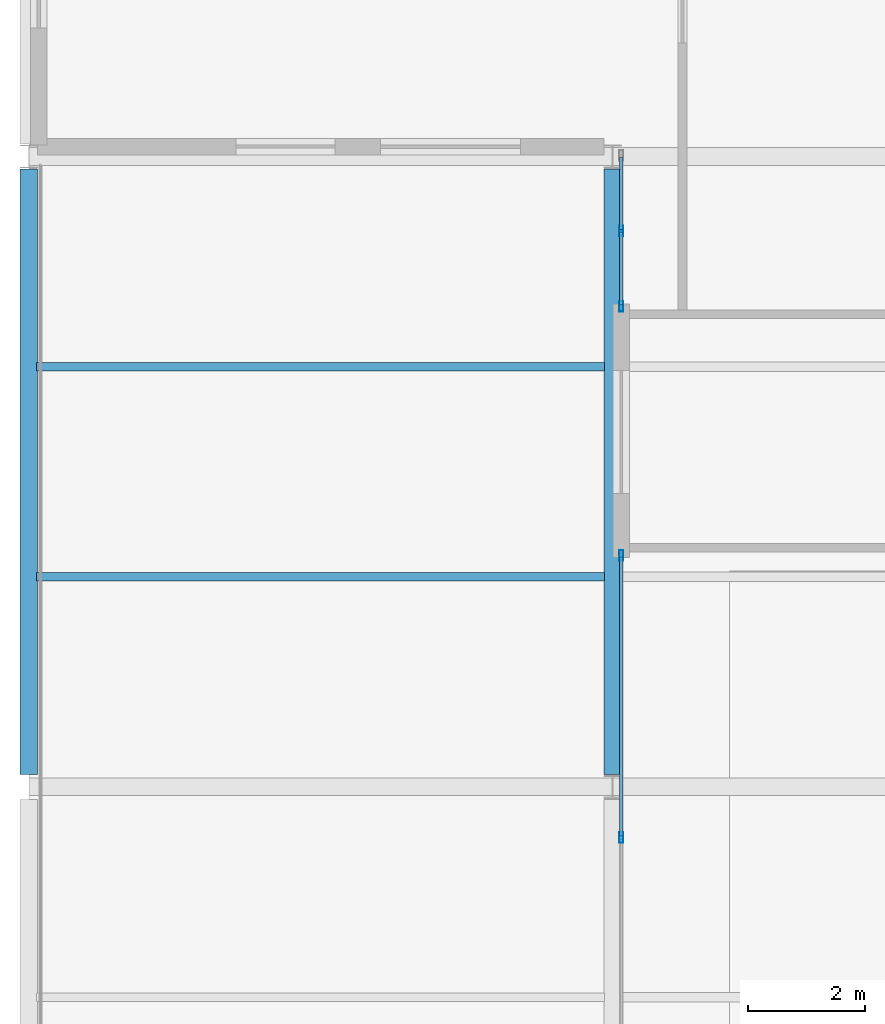
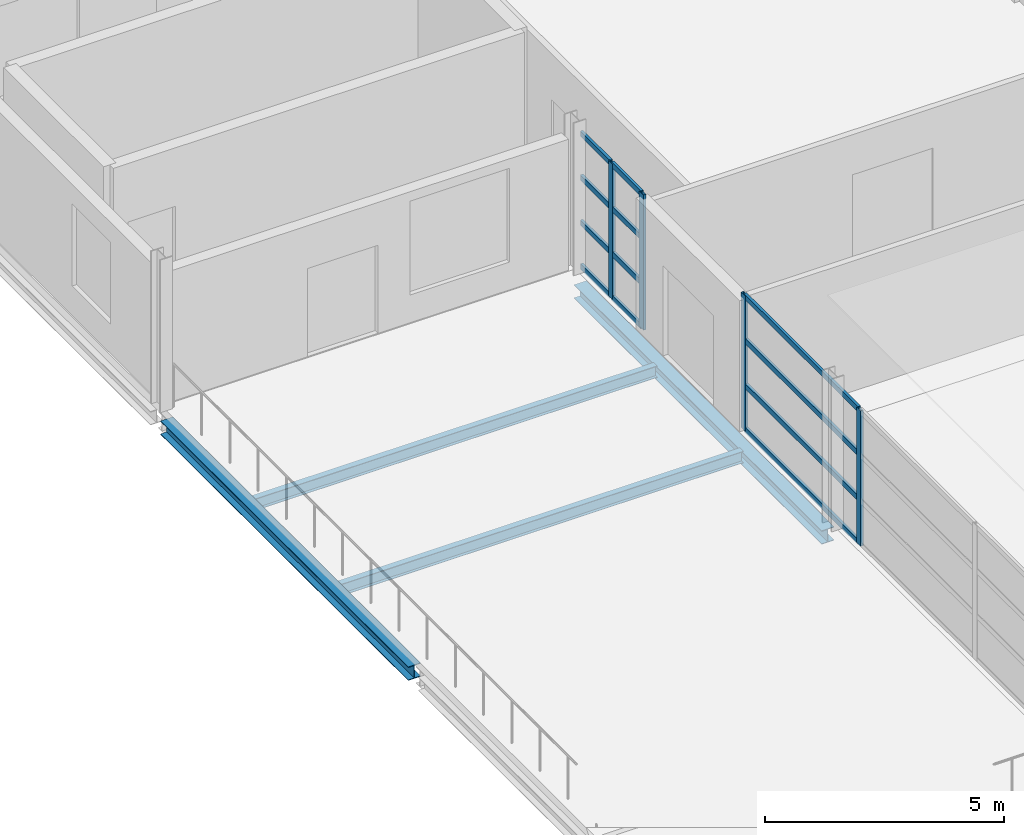
# One storey, part 8 of 33: 16 members, 4 beams, 2 elements without a shape of their own.
"""IFC4 building model written with IfcOpenShell, lengths in metres."""

import ifcopenshell
import ifcopenshell.guid

model = None  # the IFC model being written
_history = None  # IfcOwnerHistory: only IFC2X3 demands one
_inside = {}  # id of a spatial element -> (the spatial element, [elements in it])
_under = {}  # id of a project, library or spatial element -> (it, [spatial elements below it])
_declared = {}  # id of a project -> (the project, [libraries it declares])
_typed = {}  # id of a type object -> (the type object, [elements of that type])
_made_of = {}  # id of a material, layer set ... -> (it, [elements and type objects made of it])


def new_model(schema):
    """Start an empty IFC model of exactly this schema.

    Asked for "IFC4X3", IfcOpenShell would pick the latest addendum, in which some entities
    have other attributes; the version numbers below select the first issue.
    IFC2X3 requires an IfcOwnerHistory on every rooted entity: one is made here for all.
    """
    global model, _history
    if schema == "IFC4X3":
        model = ifcopenshell.file(schema_version=(4, 3, 0, 0))
    else:
        model = ifcopenshell.file(schema=schema)
    _inside.clear()
    _under.clear()
    _declared.clear()
    _typed.clear()
    _made_of.clear()
    _history = None
    if model.schema == "IFC2X3":
        org = make("IfcOrganization", Name="unknown")
        user = make(
            "IfcPersonAndOrganization",
            ThePerson=make("IfcPerson", FamilyName="unknown"),
            TheOrganization=org,
        )
        app = make(
            "IfcApplication",
            ApplicationDeveloper=org,
            Version="unknown",
            ApplicationFullName="unknown",
            ApplicationIdentifier="unknown",
        )
        _history = make(
            "IfcOwnerHistory",
            OwningUser=user,
            OwningApplication=app,
            ChangeAction="ADDED",
            CreationDate=0,
        )
    return model


def make(cls, **values):
    """One entity of the class cls with the attributes given. An attribute that is None is left unset."""
    return model.create_entity(
        cls, **{name: value for name, value in values.items() if value is not None}
    )


def rooted(cls, **values):
    """An entity with a GlobalId (a new one), such as an element, a storey or a relation."""
    return make(cls, GlobalId=ifcopenshell.guid.new(), OwnerHistory=_history, **values)


def si_unit(unit_type, name, prefix=None):
    """IfcSIUnit, for example si_unit("LENGTHUNIT", "METRE", prefix="MILLI")."""
    return make("IfcSIUnit", UnitType=unit_type, Prefix=prefix, Name=name)


def assignment(units):
    """IfcUnitAssignment: the units of a project."""
    return None if units is None else make("IfcUnitAssignment", Units=units)


def point(xyz):
    """IfcCartesianPoint."""
    return None if xyz is None else make("IfcCartesianPoint", Coordinates=xyz)


def direction(xyz):
    """IfcDirection."""
    return None if xyz is None else make("IfcDirection", DirectionRatios=xyz)


def frame(location, z_axis=None, x_axis=None):
    """IfcAxis2Placement3D, a coordinate frame: its origin and axes. An axis left out is left unset."""
    return make(
        "IfcAxis2Placement3D",
        Location=point(location),
        Axis=direction(z_axis),
        RefDirection=direction(x_axis),
    )


def frame_2d(location, x_axis=None):
    """IfcAxis2Placement2D, a coordinate frame in the plane: its origin and x axis."""
    return make(
        "IfcAxis2Placement2D", Location=point(location), RefDirection=direction(x_axis)
    )


def origin():
    """The frame at (0, 0, 0) with its axes left unset."""
    return frame((0.0, 0.0, 0.0))


def origin_2d():
    """The frame at (0, 0) in the plane with its x axis left unset."""
    return frame_2d((0.0, 0.0))


def place(relative_to, where):
    """IfcLocalPlacement: puts the frame where relative to a parent placement (None: the world)."""
    return make(
        "IfcLocalPlacement", PlacementRelTo=relative_to, RelativePlacement=where
    )


def context(
    kind, dimensions, precision=None, world=None, true_north=None, identifier=None
):
    """IfcGeometricRepresentationContext, for example the 3D "Model" context."""
    return make(
        "IfcGeometricRepresentationContext",
        ContextIdentifier=identifier,
        ContextType=kind,
        CoordinateSpaceDimension=dimensions,
        Precision=precision,
        WorldCoordinateSystem=world,
        TrueNorth=true_north,
    )


def subcontext(parent, identifier, kind, view, scale=None):
    """IfcGeometricRepresentationSubContext, for example "Body" below "Model"."""
    return make(
        "IfcGeometricRepresentationSubContext",
        ContextIdentifier=identifier,
        ContextType=kind,
        ParentContext=parent,
        TargetScale=scale,
        TargetView=view,
    )


def project(units=None, contexts=None):
    """IfcProject with its units and contexts."""
    return rooted(
        "IfcProject",
        Name="project",
        RepresentationContexts=contexts,
        UnitsInContext=assignment(units),
    )


def spatial(cls, under=None, at=None, **own):
    """A site, building, storey or space (cls), placed at a placement, below another one or the project."""
    s = rooted(cls, ObjectPlacement=at, **own)
    if under is not None:
        _under.setdefault(under.id(), (under, []))[1].append(s)
    return s


def profile(cls, at=None, kind="AREA", **sizes):
    """A parametric profile (cls). Its sizes go by their IFC names, for example OverallWidth=200.0."""
    return make(cls, ProfileType=kind, Position=at, **sizes)


def hollow_rectangle(**sizes):
    """IfcRectangleHollowProfileDef."""
    return profile("IfcRectangleHollowProfileDef", **sizes)


def i_section(**sizes):
    """IfcIShapeProfileDef."""
    return profile("IfcIShapeProfileDef", **sizes)


def extrude(swept, where, along, depth):
    """IfcExtrudedAreaSolid: the profile swept, set in the frame where, extruded along a direction by depth."""
    return make(
        "IfcExtrudedAreaSolid",
        SweptArea=swept,
        Position=where,
        ExtrudedDirection=direction(along),
        Depth=depth,
    )


def shape(context_of_items, identifier, shape_type, items):
    """IfcShapeRepresentation: the items that make up one representation, for example the "Body"."""
    return make(
        "IfcShapeRepresentation",
        ContextOfItems=context_of_items,
        RepresentationIdentifier=identifier,
        RepresentationType=shape_type,
        Items=items,
    )


def material(Name=None, Category=None):
    """IfcMaterial."""
    return make("IfcMaterial", Name=Name, Category=Category)


def layer(
    of_material, thickness, ventilated=None, Name=None, Category=None, Priority=None
):
    """IfcMaterialLayer: one layer of a wall or slab, of a material (None: an air gap)."""
    return make(
        "IfcMaterialLayer",
        Material=of_material,
        LayerThickness=thickness,
        IsVentilated=ventilated,
        Name=Name,
        Category=Category,
        Priority=Priority,
    )


def layer_set(layers, Name=None):
    """IfcMaterialLayerSet."""
    return make("IfcMaterialLayerSet", MaterialLayers=layers, LayerSetName=Name)


def material_profile(
    of_material, cross_section, Name=None, Category=None, Priority=None
):
    """IfcMaterialProfile: a cross section and its material."""
    return make(
        "IfcMaterialProfile",
        Name=Name,
        Material=of_material,
        Profile=cross_section,
        Priority=Priority,
        Category=Category,
    )


def profile_set(profiles, Name=None, composite=None):
    """IfcMaterialProfileSet."""
    return make(
        "IfcMaterialProfileSet",
        Name=Name,
        MaterialProfiles=profiles,
        CompositeProfile=composite,
    )


def made_of(thing, what):
    """Note that an element or type object is made of a material, layer set ...; save() writes the relation."""
    if what is not None:
        _made_of.setdefault(what.id(), (what, []))[1].append(thing)
    return thing


def type_object(cls, material=None, **own):
    """A type object (cls), such as IfcWallType, which elements share."""
    return made_of(rooted(cls, **own), material)


def element(
    cls,
    number,
    at=None,
    inside=None,
    cuts=None,
    type_object=None,
    material=None,
    context=None,
    identifier="Body",
    shape_type=None,
    held_by="IfcProductDefinitionShape",
    body=None,
    shapes=None,
    **own,
):
    """One element of the class cls, such as IfcWall. Its Tag is "e" and its number.

    at: its placement. inside: the storey or other place that contains it. cuts: it is an
    opening in that element (IfcRelVoidsElement). A single representation is given by context,
    identifier, shape_type and body (its items); several are given by shapes. held_by: the class
    of the entity that holds the representations. save() writes the other relations.
    """
    e = rooted(cls, Tag="e%d" % number, ObjectPlacement=at, **own)
    if body is not None:
        shapes = [shape(context, identifier, shape_type, body)]
    if shapes is not None:
        e.Representation = make(held_by, Representations=shapes)
    if inside is not None:
        _inside.setdefault(inside.id(), (inside, []))[1].append(e)
    if cuts is not None:
        rooted(
            "IfcRelVoidsElement", RelatingBuildingElement=cuts, RelatedOpeningElement=e
        )
    if type_object is not None:
        _typed.setdefault(type_object.id(), (type_object, []))[1].append(e)
    return made_of(e, material)


def aggregate(whole, parts):
    """IfcRelAggregates: a whole, such as a stair, and the parts it consists of."""
    return rooted("IfcRelAggregates", RelatingObject=whole, RelatedObjects=parts)


def save(model, path):
    """Write the relations noted so far, then the file.

    IfcRelAggregates (storeys below a building ...), IfcRelContainedInSpatialStructure (elements
    in a storey), IfcRelDefinesByType, IfcRelAssociatesMaterial and IfcRelDeclares: one each for
    every whole, place, type object, material and project.
    """
    for whole, parts in _under.values():
        aggregate(whole, parts)
    for where, things in _inside.values():
        rooted(
            "IfcRelContainedInSpatialStructure",
            RelatedElements=things,
            RelatingStructure=where,
        )
    for kind, things in _typed.values():
        rooted("IfcRelDefinesByType", RelatedObjects=things, RelatingType=kind)
    for what, things in _made_of.values():
        rooted("IfcRelAssociatesMaterial", RelatedObjects=things, RelatingMaterial=what)
    for by, libraries in _declared.values():
        rooted("IfcRelDeclares", RelatingContext=by, RelatedDefinitions=libraries)
    model.write(path)


model = new_model("IFC4")

# Units and contexts
model_context = context("Model", 3, precision=1e-05, world=origin(), true_north=direction((0.0, 1.0)))
body_context = subcontext(model_context, "Body", "Model", "MODEL_VIEW")
ifc_project = project(units=[si_unit("LENGTHUNIT", "METRE"), si_unit("AREAUNIT", "SQUARE_METRE"), si_unit("VOLUMEUNIT", "CUBIC_METRE"), si_unit("PLANEANGLEUNIT", "RADIAN"), si_unit("MASSUNIT", "GRAM", prefix="KILO")], contexts=[model_context])

# Site, building, storey
site_placement = place(None, origin())
site = spatial("IfcSite", under=ifc_project, at=site_placement, CompositionType="ELEMENT")
building_placement = place(site_placement, origin())
building = spatial("IfcBuilding", under=site, at=building_placement, Name="Tamarisk Ironworks Central Station", CompositionType="ELEMENT")
storey_placement = place(building_placement, frame((0.0, 0.0, 21.300048828125)))
storey = spatial("IfcBuildingStorey", under=building, at=storey_placement, Name="L04", CompositionType="ELEMENT", Elevation=21.300048828125)

# Beams
ifc_material_1 = material(Name="Structural steel S355J2", Category="steel")
ifc_material_profile_1 = material_profile(ifc_material_1, i_section(OverallWidth=0.14990234375, OverallDepth=0.300048828125, WebThickness=0.007080078125, FlangeThickness=0.0107421875, at=origin_2d()), Name="IPE 300")
ifc_profile_set_1 = profile_set([ifc_material_profile_1], Name="Structural steel S355J2")
beam_type_1 = type_object("IfcBeamType", Name="BM-B07", PredefinedType="BEAM", material=ifc_profile_set_1)
for number, where, z_axis, x_axis, name in (
    (1, (118.135009765625, 104.39990234375, -0.35009765625), (1.0, 0.0, 0.0), (0.0, 1.0, 0.0), "L04 secondary composite beam 0235"),
    (2, (118.135009765625, 108.0, -0.35009765625), (1.0, 0.0, 0.0), (0.0, 1.0, 0.0), "L04 secondary composite beam 0236"),
):
    element("IfcBeam", number, at=place(storey_placement, frame(where, z_axis=z_axis, x_axis=x_axis)), inside=storey, type_object=beam_type_1, Name=name, PredefinedType="BEAM", context=body_context, shape_type="SweptSolid", body=[
        extrude(i_section(OverallWidth=0.14990234375, OverallDepth=0.300048828125, WebThickness=0.007080078125, FlangeThickness=0.0107421875, at=origin_2d()), origin(), (0.0, 0.0, 1.0), 9.72998046875),
    ])
ifc_material_profile_2 = material_profile(ifc_material_1, i_section(OverallWidth=0.300048828125, OverallDepth=0.35009765625, WebThickness=0.010009765625, FlangeThickness=0.017578125, at=origin_2d()), Name="HEA 360")
ifc_profile_set_2 = profile_set([ifc_material_profile_2], Name="Structural steel S355J2")
beam_type_2 = type_object("IfcBeamType", Name="BM-G08", PredefinedType="BEAM", material=ifc_profile_set_2)
for number, where, z_axis, x_axis, name in (
    (3, (118.0, 101.012939453125, -0.375), (0.0, 1.0, 0.0), (-1.0, 0.0, 0.0), "L04 primary girder Y-0731"),
    (4, (128.0, 101.012939453125, -0.39501953125), (0.0, 1.0, 0.0), (-1.0, 0.0, 0.0), "L04 primary girder Y-0735"),
):
    element("IfcBeam", number, at=place(storey_placement, frame(where, z_axis=z_axis, x_axis=x_axis)), inside=storey, type_object=beam_type_2, Name=name, PredefinedType="BEAM", context=body_context, shape_type="SweptSolid", body=[
        extrude(i_section(OverallWidth=0.300048828125, OverallDepth=0.35009765625, WebThickness=0.010009765625, FlangeThickness=0.017578125, at=origin_2d()), origin(), (0.0, 0.0, 1.0), 10.3740234375),
    ])

# Curtain wall, members
ifc_material_2 = material(Name="Anodized aluminium alloy 6063-T6", Category="aluminium")
ifc_layer = layer(ifc_material_2, 0.179931640625)
ifc_layer_set = layer_set([ifc_layer], Name="Anodized aluminium alloy 6063-T6")
curtain_wall_type = type_object("IfcCurtainWallType", Name="CW-19", PredefinedType="USERDEFINED", material=ifc_layer_set)
curtain_wall_1_placement = place(storey_placement, origin())
curtain_wall_1 = element("IfcCurtainWall", 5, at=curtain_wall_1_placement, inside=storey, type_object=curtain_wall_type, Name="Crown terrace overlook curtain wall L04-156", ObjectType="GLAZED CURTAIN WALL", PredefinedType="USERDEFINED")
ifc_material_profile_3 = material_profile(ifc_material_2, hollow_rectangle(XDim=0.06494140625, YDim=0.179931640625, WallThickness=0.00390625, at=origin_2d()), Name="ALUM 180x65")
ifc_profile_set_3 = profile_set([ifc_material_profile_3], Name="Anodized aluminium alloy 6063-T6")
member_type_1 = type_object("IfcMemberType", Name="CWM-02", PredefinedType="MULLION", material=ifc_profile_set_3)
member_1_placement = place(storey_placement, frame((128.14990234375, 99.9326171875, 0.0), z_axis=(0.0, 0.0, 1.0), x_axis=(-1.0, 0.0, 0.0)))
member_1 = element("IfcMember", 6, at=member_1_placement, type_object=member_type_1, Name="CW19 mullion 3", PredefinedType="MULLION", context=body_context, shape_type="SweptSolid", body=[
    extrude(hollow_rectangle(XDim=0.06494140625, YDim=0.179931640625, WallThickness=0.00390625, at=origin_2d()), origin(), (0.0, 0.0, 1.0), 3.4599609375),
])
member_2_placement = place(storey_placement, frame((128.14990234375, 104.767578125, 0.0), z_axis=(0.0, 0.0, 1.0), x_axis=(-1.0, 0.0, 0.0)))
member_2 = element("IfcMember", 7, at=member_2_placement, type_object=member_type_1, Name="CW19 mullion 4", PredefinedType="MULLION", context=body_context, shape_type="SweptSolid", body=[
    extrude(hollow_rectangle(XDim=0.06494140625, YDim=0.179931640625, WallThickness=0.00390625, at=origin_2d()), origin(), (0.0, 0.0, 1.0), 3.4599609375),
])

curtain_wall_2_placement = place(storey_placement, origin())
curtain_wall_2 = element("IfcCurtainWall", 8, at=curtain_wall_2_placement, inside=storey, type_object=curtain_wall_type, Name="Crown terrace overlook curtain wall L04-157", ObjectType="GLAZED CURTAIN WALL", PredefinedType="USERDEFINED")
member_3_placement = place(storey_placement, frame((128.14990234375, 109.032470703125, 0.0), z_axis=(0.0, 0.0, 1.0), x_axis=(-1.0, 0.0, 0.0)))
member_3 = element("IfcMember", 9, at=member_3_placement, type_object=member_type_1, Name="CW19 mullion 1", PredefinedType="MULLION", context=body_context, shape_type="SweptSolid", body=[
    extrude(hollow_rectangle(XDim=0.06494140625, YDim=0.179931640625, WallThickness=0.00390625, at=origin_2d()), origin(), (0.0, 0.0, 1.0), 3.4599609375),
])
member_4_placement = place(storey_placement, frame((128.14990234375, 110.324951171875, 0.0), z_axis=(0.0, 0.0, 1.0), x_axis=(-1.0, 0.0, 0.0)))
member_4 = element("IfcMember", 10, at=member_4_placement, type_object=member_type_1, Name="CW19 mullion 2", PredefinedType="MULLION", context=body_context, shape_type="SweptSolid", body=[
    extrude(hollow_rectangle(XDim=0.06494140625, YDim=0.179931640625, WallThickness=0.00390625, at=origin_2d()), origin(), (0.0, 0.0, 1.0), 3.4599609375),
])

# Member
ifc_material_profile_4 = material_profile(ifc_material_2, hollow_rectangle(XDim=0.06494140625, YDim=0.135009765625, WallThickness=0.00341796875, at=origin_2d()), Name="ALUM 135x65")
ifc_profile_set_4 = profile_set([ifc_material_profile_4], Name="Anodized aluminium alloy 6063-T6")
member_type_2 = type_object("IfcMemberType", Name="CWT-02", PredefinedType="USERDEFINED", material=ifc_profile_set_4)
member_5_placement = place(storey_placement, frame((128.14990234375, 99.961181640625, 0.032470703125), z_axis=(0.0, 1.0, 0.0), x_axis=(-1.0, 0.0, 0.0)))
member_5 = element("IfcMember", 11, at=member_5_placement, type_object=member_type_2, Name="CW19 transom 3.1", ObjectType="TRANSOM", PredefinedType="USERDEFINED", context=body_context, shape_type="SweptSolid", body=[
    extrude(hollow_rectangle(XDim=0.06494140625, YDim=0.135009765625, WallThickness=0.00341796875, at=origin_2d()), origin(), (0.0, 0.0, 1.0), 4.77783203125),
])

member_6_placement = place(storey_placement, frame((128.14990234375, 99.961181640625, 1.1533203125), z_axis=(0.0, 1.0, 0.0), x_axis=(-1.0, 0.0, 0.0)))
member_6 = element("IfcMember", 12, at=member_6_placement, type_object=member_type_2, Name="CW19 transom 3.2", ObjectType="TRANSOM", PredefinedType="USERDEFINED", context=body_context, shape_type="SweptSolid", body=[
    extrude(hollow_rectangle(XDim=0.06494140625, YDim=0.135009765625, WallThickness=0.00341796875, at=origin_2d()), origin(), (0.0, 0.0, 1.0), 4.77783203125),
])

member_7_placement = place(storey_placement, frame((128.14990234375, 99.961181640625, 2.306640625), z_axis=(0.0, 1.0, 0.0), x_axis=(-1.0, 0.0, 0.0)))
member_7 = element("IfcMember", 13, at=member_7_placement, type_object=member_type_2, Name="CW19 transom 3.3", ObjectType="TRANSOM", PredefinedType="USERDEFINED", context=body_context, shape_type="SweptSolid", body=[
    extrude(hollow_rectangle(XDim=0.06494140625, YDim=0.135009765625, WallThickness=0.00341796875, at=origin_2d()), origin(), (0.0, 0.0, 1.0), 4.77783203125),
])

member_8_placement = place(storey_placement, frame((128.14990234375, 99.961181640625, 3.427490234375), z_axis=(0.0, 1.0, 0.0), x_axis=(-1.0, 0.0, 0.0)))
member_8 = element("IfcMember", 14, at=member_8_placement, type_object=member_type_2, Name="CW19 transom 3.4", ObjectType="TRANSOM", PredefinedType="USERDEFINED", context=body_context, shape_type="SweptSolid", body=[
    extrude(hollow_rectangle(XDim=0.06494140625, YDim=0.135009765625, WallThickness=0.00341796875, at=origin_2d()), origin(), (0.0, 0.0, 1.0), 4.77783203125),
])

aggregate(curtain_wall_1, [member_1, member_2, member_5, member_6, member_7, member_8])

member_9_placement = place(storey_placement, frame((128.14990234375, 109.06103515625, 0.032470703125), z_axis=(0.0, 1.0, 0.0), x_axis=(-1.0, 0.0, 0.0)))
member_9 = element("IfcMember", 15, at=member_9_placement, type_object=member_type_2, Name="CW19 transom 1.1", ObjectType="TRANSOM", PredefinedType="USERDEFINED", context=body_context, shape_type="SweptSolid", body=[
    extrude(hollow_rectangle(XDim=0.06494140625, YDim=0.135009765625, WallThickness=0.00341796875, at=origin_2d()), origin(), (0.0, 0.0, 1.0), 1.2353515625),
])

member_10_placement = place(storey_placement, frame((128.14990234375, 109.06103515625, 1.1533203125), z_axis=(0.0, 1.0, 0.0), x_axis=(-1.0, 0.0, 0.0)))
member_10 = element("IfcMember", 16, at=member_10_placement, type_object=member_type_2, Name="CW19 transom 1.2", ObjectType="TRANSOM", PredefinedType="USERDEFINED", context=body_context, shape_type="SweptSolid", body=[
    extrude(hollow_rectangle(XDim=0.06494140625, YDim=0.135009765625, WallThickness=0.00341796875, at=origin_2d()), origin(), (0.0, 0.0, 1.0), 1.2353515625),
])

member_11_placement = place(storey_placement, frame((128.14990234375, 109.06103515625, 2.306640625), z_axis=(0.0, 1.0, 0.0), x_axis=(-1.0, 0.0, 0.0)))
member_11 = element("IfcMember", 17, at=member_11_placement, type_object=member_type_2, Name="CW19 transom 1.3", ObjectType="TRANSOM", PredefinedType="USERDEFINED", context=body_context, shape_type="SweptSolid", body=[
    extrude(hollow_rectangle(XDim=0.06494140625, YDim=0.135009765625, WallThickness=0.00341796875, at=origin_2d()), origin(), (0.0, 0.0, 1.0), 1.2353515625),
])

member_12_placement = place(storey_placement, frame((128.14990234375, 109.06103515625, 3.427490234375), z_axis=(0.0, 1.0, 0.0), x_axis=(-1.0, 0.0, 0.0)))
member_12 = element("IfcMember", 18, at=member_12_placement, type_object=member_type_2, Name="CW19 transom 1.4", ObjectType="TRANSOM", PredefinedType="USERDEFINED", context=body_context, shape_type="SweptSolid", body=[
    extrude(hollow_rectangle(XDim=0.06494140625, YDim=0.135009765625, WallThickness=0.00341796875, at=origin_2d()), origin(), (0.0, 0.0, 1.0), 1.2353515625),
])

member_13_placement = place(storey_placement, frame((128.14990234375, 110.353515625, 0.032470703125), z_axis=(0.0, 1.0, 0.0), x_axis=(-1.0, 0.0, 0.0)))
member_13 = element("IfcMember", 19, at=member_13_placement, type_object=member_type_2, Name="CW19 transom 2.1", ObjectType="TRANSOM", PredefinedType="USERDEFINED", context=body_context, shape_type="SweptSolid", body=[
    extrude(hollow_rectangle(XDim=0.06494140625, YDim=0.135009765625, WallThickness=0.00341796875, at=origin_2d()), origin(), (0.0, 0.0, 1.0), 1.235595703125),
])

member_14_placement = place(storey_placement, frame((128.14990234375, 110.353515625, 1.1533203125), z_axis=(0.0, 1.0, 0.0), x_axis=(-1.0, 0.0, 0.0)))
member_14 = element("IfcMember", 20, at=member_14_placement, type_object=member_type_2, Name="CW19 transom 2.2", ObjectType="TRANSOM", PredefinedType="USERDEFINED", context=body_context, shape_type="SweptSolid", body=[
    extrude(hollow_rectangle(XDim=0.06494140625, YDim=0.135009765625, WallThickness=0.00341796875, at=origin_2d()), origin(), (0.0, 0.0, 1.0), 1.235595703125),
])

member_15_placement = place(storey_placement, frame((128.14990234375, 110.353515625, 2.306640625), z_axis=(0.0, 1.0, 0.0), x_axis=(-1.0, 0.0, 0.0)))
member_15 = element("IfcMember", 21, at=member_15_placement, type_object=member_type_2, Name="CW19 transom 2.3", ObjectType="TRANSOM", PredefinedType="USERDEFINED", context=body_context, shape_type="SweptSolid", body=[
    extrude(hollow_rectangle(XDim=0.06494140625, YDim=0.135009765625, WallThickness=0.00341796875, at=origin_2d()), origin(), (0.0, 0.0, 1.0), 1.235595703125),
])

member_16_placement = place(storey_placement, frame((128.14990234375, 110.353515625, 3.427490234375), z_axis=(0.0, 1.0, 0.0), x_axis=(-1.0, 0.0, 0.0)))
member_16 = element("IfcMember", 22, at=member_16_placement, type_object=member_type_2, Name="CW19 transom 2.4", ObjectType="TRANSOM", PredefinedType="USERDEFINED", context=body_context, shape_type="SweptSolid", body=[
    extrude(hollow_rectangle(XDim=0.06494140625, YDim=0.135009765625, WallThickness=0.00341796875, at=origin_2d()), origin(), (0.0, 0.0, 1.0), 1.235595703125),
])

aggregate(curtain_wall_2, [member_3, member_4, member_9, member_10, member_11, member_12, member_13, member_14, member_15, member_16])

save(model, "model.ifc")
